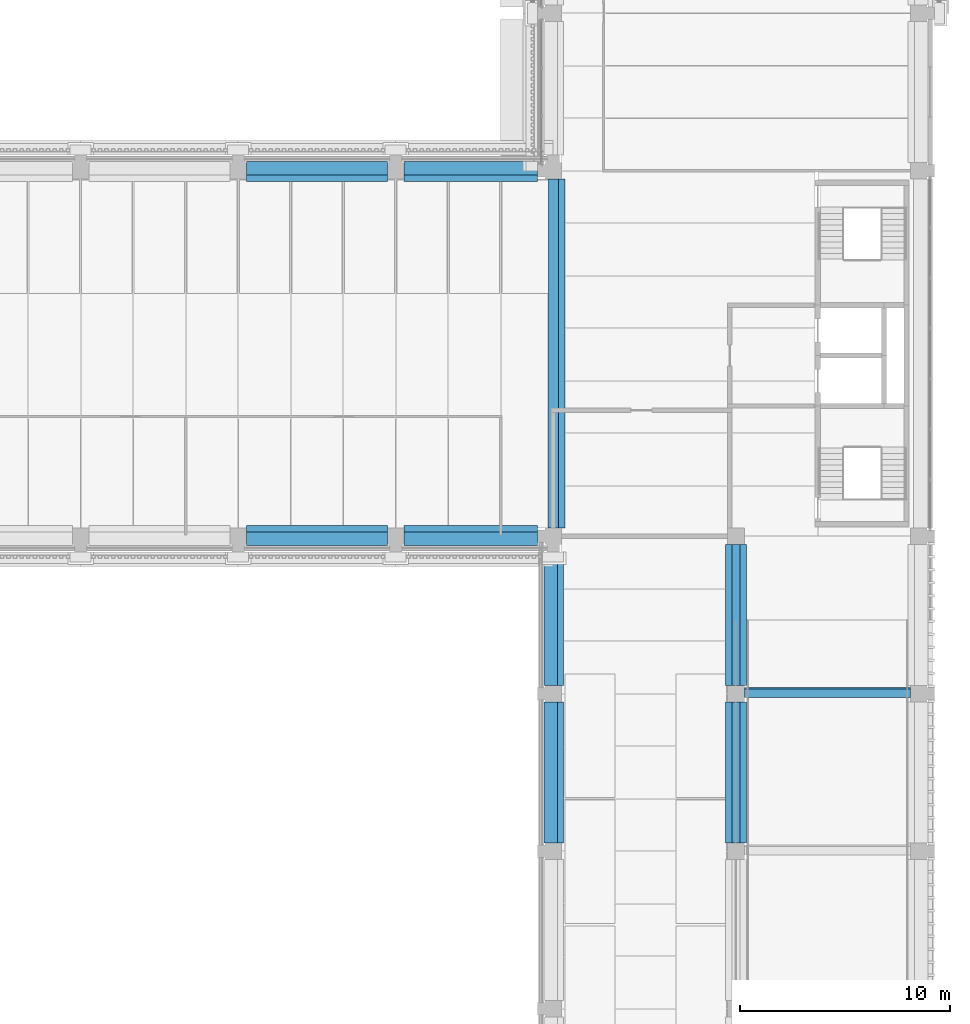
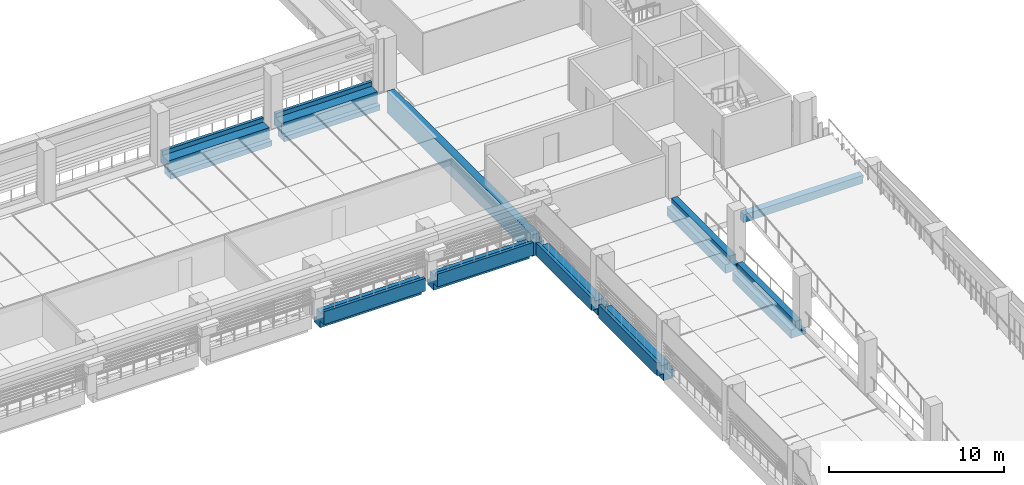
# One storey, part 16 of 71: 10 beams.
"""IFC4 building model written with IfcOpenShell, lengths in metres."""

from ifc_helpers import new_model, si_unit, direction, frame, origin, origin_2d, place, context, subcontext, project, spatial, polyline, rectangle, outline, extrude, material, material_profile, profile_set, type_object, element, save


model = new_model("IFC4")

# Units and contexts
model_context = context("Model", 3, precision=1e-05, world=origin(), true_north=direction((0.0, 1.0)))
body_context = subcontext(model_context, "Body", "Model", "MODEL_VIEW")
ifc_project = project(units=[si_unit("LENGTHUNIT", "METRE"), si_unit("AREAUNIT", "SQUARE_METRE"), si_unit("VOLUMEUNIT", "CUBIC_METRE"), si_unit("PLANEANGLEUNIT", "RADIAN"), si_unit("MASSUNIT", "GRAM", prefix="KILO")], contexts=[model_context])

# Site, building, storey
site_placement = place(None, origin())
site = spatial("IfcSite", under=ifc_project, at=site_placement, CompositionType="ELEMENT")
building_placement = place(site_placement, origin())
building = spatial("IfcBuilding", under=site, at=building_placement, Name="Cour d'Honneur Mobility Palace", CompositionType="ELEMENT")
storey_placement = place(building_placement, frame((0.0, 0.0, 15.60009765625)))
storey = spatial("IfcBuildingStorey", under=building, at=storey_placement, Name="L04", CompositionType="ELEMENT", Elevation=15.60009765625)

# Beams
ifc_material_1 = material(Name="Concrete C45", Category="concrete")
ifc_material_profile_1 = material_profile(ifc_material_1, outline(polyline([(0.5, -1.10009765625), (0.5, -0.5), (0.199951171875, -0.5), (0.199951171875, 0.0), (-0.199951171875, 0.0), (-0.199951171875, -0.800048828125), (-0.5, -0.800048828125), (-0.5, -1.10009765625), (0.5, -1.10009765625)])), Name="Inverted Tee Beam 400x1100 ledges 600/300 plain")
ifc_profile_set_1 = profile_set([ifc_material_profile_1], Name="Concrete C45")
beam_type_1 = type_object("IfcBeamType", Name="Inverted Tee Beam 400x1100 ledges 600/300 plain", PredefinedType="T_BEAM", material=ifc_profile_set_1)
for number, where, z_axis, x_axis, name in (
    (1, (153.60009765625, 30.39990234375, 0.0), (0.0, 1.0, 0.0), (-1.0, 0.0, 0.0), "Precast beam B19 E-F L04"),
    (2, (153.60009765625, 37.89990234375, 0.0), (0.0, 1.0, 0.0), (-1.0, 0.0, 0.0), "Precast beam B19 F-G L04"),
):
    element("IfcBeam", number, at=place(storey_placement, frame(where, z_axis=z_axis, x_axis=x_axis)), inside=storey, type_object=beam_type_1, Name=name, PredefinedType="T_BEAM", context=body_context, shape_type="SweptSolid", body=[
        extrude(outline(polyline([(0.5, -1.10009765625), (0.5, -0.5), (0.199951171875, -0.5), (0.199951171875, 0.0), (-0.199951171875, 0.0), (-0.199951171875, -0.800048828125), (-0.5, -0.800048828125), (-0.5, -1.10009765625), (0.5, -1.10009765625)])), origin(), (0.0, 0.0, 1.0), 6.7001953125),
    ])
ifc_material_2 = material(Name="Concrete C45", Category="concrete")
ifc_material_profile_2 = material_profile(ifc_material_2, outline(polyline([(0.5, -1.10009765625), (0.5, -0.75), (0.199951171875, -0.75), (0.199951171875, 0.0), (-0.199951171875, 0.0), (-0.449951171875, 0.0), (-0.449951171875, 0.300048828125), (-0.64990234375, 0.300048828125), (-0.64990234375, -0.60009765625), (-0.199951171875, -0.60009765625), (-0.199951171875, -1.10009765625), (0.5, -1.10009765625)])), Name="Ledger Beam 400x1100 ledge left 350 facade right")
ifc_profile_set_2 = profile_set([ifc_material_profile_2], Name="Concrete C45")
beam_type_2 = type_object("IfcBeamType", Name="Ledger Beam 400x1100 ledge left 350 facade right", PredefinedType="BEAM", material=ifc_profile_set_2)
beam_1_placement = place(storey_placement, frame((130.300048828125, 45.0, 0.0), z_axis=(1.0, 0.0, 0.0), x_axis=(0.0, 1.0, 0.0)))
element("IfcBeam", 3, at=beam_1_placement, inside=storey, type_object=beam_type_2, Name="Precast beam B2 17-18 L04", PredefinedType="BEAM", context=body_context, shape_type="SweptSolid", body=[
    extrude(outline(polyline([(0.5, -1.10009765625), (0.5, -0.75), (0.199951171875, -0.75), (0.199951171875, 0.0), (-0.199951171875, 0.0), (-0.449951171875, 0.0), (-0.449951171875, 0.300048828125), (-0.64990234375, 0.300048828125), (-0.64990234375, -0.60009765625), (-0.199951171875, -0.60009765625), (-0.199951171875, -1.10009765625), (0.5, -1.10009765625)])), origin(), (0.0, 0.0, 1.0), 6.699951171875),
])
beam_2_placement = place(storey_placement, frame((137.800048828125, 45.0, 0.0), z_axis=(1.0, 0.0, 0.0), x_axis=(0.0, 1.0, 0.0)))
element("IfcBeam", 4, at=beam_2_placement, inside=storey, type_object=beam_type_2, Name="Precast beam B2 18-19 L04", PredefinedType="BEAM", context=body_context, shape_type="SweptSolid", body=[
    extrude(outline(polyline([(0.5, -1.10009765625), (0.5, -0.75), (0.199951171875, -0.75), (0.199951171875, 0.0), (-0.199951171875, 0.0), (-0.449951171875, 0.0), (-0.449951171875, 0.300048828125), (-0.64990234375, 0.300048828125), (-0.64990234375, -0.60009765625), (-0.199951171875, -0.60009765625), (-0.199951171875, -1.10009765625), (0.5, -1.10009765625)])), origin(), (0.0, 0.0, 1.0), 6.349853515625),
])
ifc_material_3 = material(Name="Concrete C45", Category="concrete")
ifc_material_profile_3 = material_profile(ifc_material_3, outline(polyline([(0.199951171875, -1.10009765625), (0.199951171875, -0.60009765625), (0.64990234375, -0.60009765625), (0.64990234375, 0.300048828125), (0.449951171875, 0.300048828125), (0.449951171875, 0.0), (0.199951171875, 0.0), (-0.199951171875, 0.0), (-0.199951171875, -0.75), (-0.5, -0.75), (-0.5, -1.10009765625), (0.199951171875, -1.10009765625)])), Name="Ledger Beam 400x1100 ledge right 350 facade left")
ifc_profile_set_3 = profile_set([ifc_material_profile_3], Name="Concrete C45")
beam_type_3 = type_object("IfcBeamType", Name="Ledger Beam 400x1100 ledge right 350 facade left", PredefinedType="BEAM", material=ifc_profile_set_3)
beam_3_placement = place(storey_placement, frame((130.300048828125, 62.39990234375, 0.0), z_axis=(1.0, 0.0, 0.0), x_axis=(0.0, 1.0, 0.0)))
element("IfcBeam", 5, at=beam_3_placement, inside=storey, type_object=beam_type_3, Name="Precast beam B4 17-18 L04", PredefinedType="BEAM", context=body_context, shape_type="SweptSolid", body=[
    extrude(outline(polyline([(0.199951171875, -1.10009765625), (0.199951171875, -0.60009765625), (0.64990234375, -0.60009765625), (0.64990234375, 0.300048828125), (0.449951171875, 0.300048828125), (0.449951171875, 0.0), (0.199951171875, 0.0), (-0.199951171875, 0.0), (-0.199951171875, -0.75), (-0.5, -0.75), (-0.5, -1.10009765625), (0.199951171875, -1.10009765625)])), origin(), (0.0, 0.0, 1.0), 6.699951171875),
])
beam_4_placement = place(storey_placement, frame((137.800048828125, 62.39990234375, 0.0), z_axis=(1.0, 0.0, 0.0), x_axis=(0.0, 1.0, 0.0)))
element("IfcBeam", 6, at=beam_4_placement, inside=storey, type_object=beam_type_3, Name="Precast beam B4 18-19 L04", PredefinedType="BEAM", context=body_context, shape_type="SweptSolid", body=[
    extrude(outline(polyline([(0.199951171875, -1.10009765625), (0.199951171875, -0.60009765625), (0.64990234375, -0.60009765625), (0.64990234375, 0.300048828125), (0.449951171875, 0.300048828125), (0.449951171875, 0.0), (0.199951171875, 0.0), (-0.199951171875, 0.0), (-0.199951171875, -0.75), (-0.5, -0.75), (-0.5, -1.10009765625), (0.199951171875, -1.10009765625)])), origin(), (0.0, 0.0, 1.0), 6.349853515625),
])
ifc_material_4 = material(Name="Concrete C45", Category="concrete")
ifc_material_profile_4 = material_profile(ifc_material_4, outline(polyline([(0.199951171875, -1.10009765625), (0.199951171875, -0.60009765625), (0.64990234375, -0.60009765625), (0.64990234375, 0.300048828125), (0.449951171875, 0.300048828125), (0.449951171875, 0.0), (0.199951171875, 0.0), (-0.199951171875, 0.0), (-0.199951171875, -0.5), (-0.5, -0.5), (-0.5, -1.10009765625), (0.199951171875, -1.10009765625)])), Name="Ledger Beam 400x1100 ledge right 600 facade left")
ifc_profile_set_4 = profile_set([ifc_material_profile_4], Name="Concrete C45")
beam_type_4 = type_object("IfcBeamType", Name="Ledger Beam 400x1100 ledge right 600 facade left", PredefinedType="BEAM", material=ifc_profile_set_4)
beam_5_placement = place(storey_placement, frame((144.89990234375, 30.39990234375, 0.0), z_axis=(0.0, 1.0, 0.0), x_axis=(-1.0, 0.0, 0.0)))
element("IfcBeam", 7, at=beam_5_placement, inside=storey, type_object=beam_type_4, Name="Precast beam B15 E-F L04", PredefinedType="BEAM", context=body_context, shape_type="SweptSolid", body=[
    extrude(outline(polyline([(0.199951171875, -1.10009765625), (0.199951171875, -0.60009765625), (0.64990234375, -0.60009765625), (0.64990234375, 0.300048828125), (0.449951171875, 0.300048828125), (0.449951171875, 0.0), (0.199951171875, 0.0), (-0.199951171875, 0.0), (-0.199951171875, -0.5), (-0.5, -0.5), (-0.5, -1.10009765625), (0.199951171875, -1.10009765625)])), origin(), (0.0, 0.0, 1.0), 6.7001953125),
])
beam_6_placement = place(storey_placement, frame((144.89990234375, 37.89990234375, 0.0), z_axis=(0.0, 1.0, 0.0), x_axis=(-1.0, 0.0, 0.0)))
element("IfcBeam", 8, at=beam_6_placement, inside=storey, type_object=beam_type_4, Name="Precast beam B15 F-G L04", PredefinedType="BEAM", context=body_context, shape_type="SweptSolid", body=[
    extrude(outline(polyline([(0.199951171875, -1.10009765625), (0.199951171875, -0.60009765625), (0.64990234375, -0.60009765625), (0.64990234375, 0.300048828125), (0.449951171875, 0.300048828125), (0.449951171875, 0.0), (0.199951171875, 0.0), (-0.199951171875, 0.0), (-0.199951171875, -0.5), (-0.5, -0.5), (-0.5, -1.10009765625), (0.199951171875, -1.10009765625)])), origin(), (0.0, 0.0, 1.0), 6.35009765625),
])
ifc_material_5 = material(Name="Concrete C45", Category="concrete")
ifc_material_profile_5 = material_profile(ifc_material_5, outline(polyline([(0.25, -1.5), (0.25, 0.0), (-0.25, 0.0), (-0.25, -0.64990234375), (-0.550048828125, -0.64990234375), (-0.550048828125, -1.5), (0.25, -1.5)])), Name="Ledger Beam 500x1500 ledge right 850 plain")
ifc_profile_set_5 = profile_set([ifc_material_profile_5], Name="Concrete C45")
beam_type_5 = type_object("IfcBeamType", Name="Ledger Beam 500x1500 ledge right 850 plain", PredefinedType="BEAM", material=ifc_profile_set_5)
beam_7_placement = place(storey_placement, frame((144.89990234375, 45.39990234375, 0.0), z_axis=(0.0, 1.0, 0.0), x_axis=(-1.0, 0.0, 0.0)))
element("IfcBeam", 9, at=beam_7_placement, inside=storey, type_object=beam_type_5, Name="Precast beam B16 G-H L04", PredefinedType="BEAM", context=body_context, shape_type="SweptSolid", body=[
    extrude(outline(polyline([(0.25, -1.5), (0.25, 0.0), (-0.25, 0.0), (-0.25, -0.64990234375), (-0.550048828125, -0.64990234375), (-0.550048828125, -1.5), (0.25, -1.5)])), origin(), (0.0, 0.0, 1.0), 16.60009765625),
])
ifc_material_6 = material(Name="Concrete C40", Category="concrete")
ifc_material_profile_6 = material_profile(ifc_material_6, rectangle(XDim=0.39990234375, YDim=0.60009765625, at=origin_2d()), Name="Ramp cross beam 400x600")
ifc_profile_set_6 = profile_set([ifc_material_profile_6], Name="Concrete C40")
beam_type_6 = type_object("IfcBeamType", Name="Ramp cross beam 400x600", PredefinedType="BEAM", material=ifc_profile_set_6)
beam_8_placement = place(storey_placement, frame((161.89990234375, 37.559814453125, 2.7529296875), z_axis=(-1.0, 0.0, 0.0), x_axis=(0.0, -0.995037190449, -0.099503716633)))
element("IfcBeam", 10, at=beam_8_placement, inside=storey, type_object=beam_type_6, Name="Ramp cross beam SE.R4-5", PredefinedType="BEAM", context=body_context, shape_type="SweptSolid", body=[
    extrude(rectangle(XDim=0.39990234375, YDim=0.60009765625, at=origin_2d()), origin(), (0.0, 0.0, 1.0), 7.89990234375),
])

save(model, "model.ifc")
